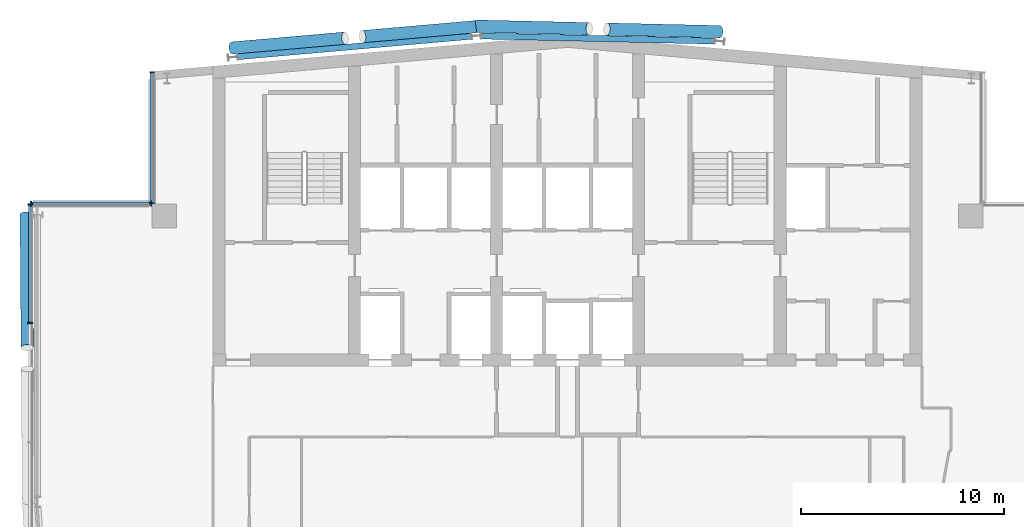
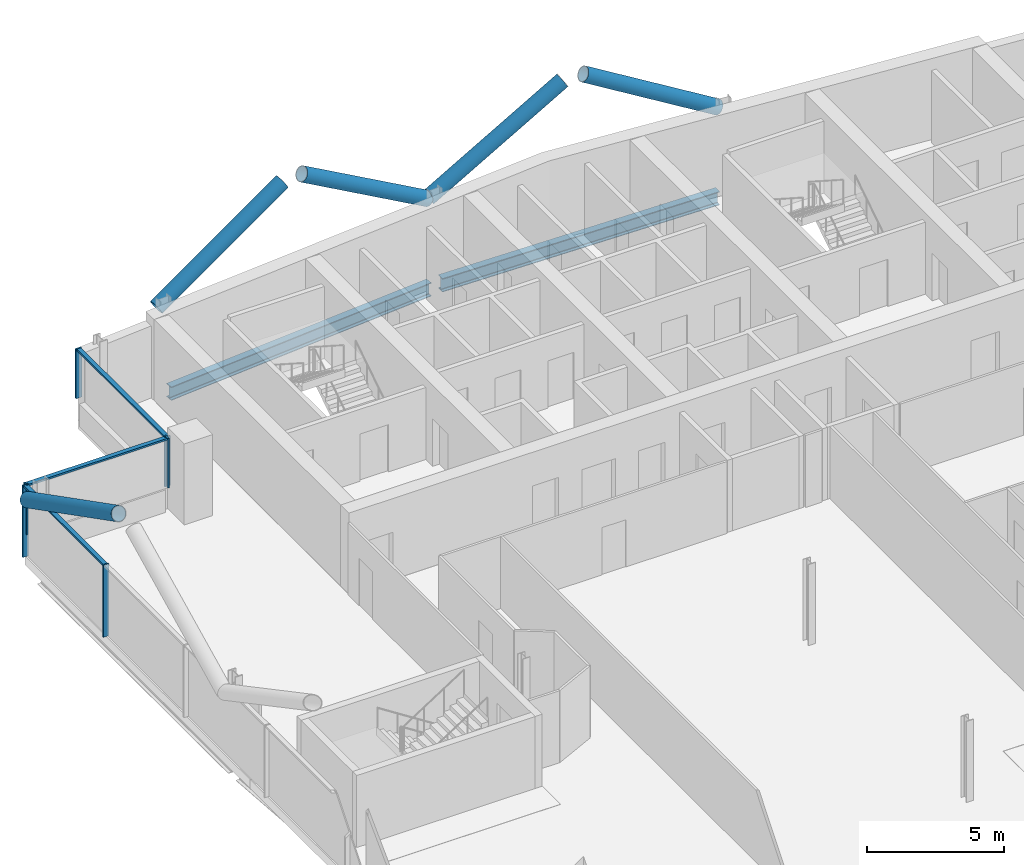
# One storey, part 10 of 25: 14 members, 2 beams, 3 elements without a shape of their own.
"""IFC4 building model written with IfcOpenShell, lengths in metres."""

from ifc_helpers import new_model, si_unit, direction, frame, origin, origin_2d, place, context, subcontext, project, spatial, rectangle, hollow_circle, i_section, extrude, material, material_profile, profile_set, type_object, element, aggregate, save


model = new_model("IFC4")

# Units and contexts
model_context = context("Model", 3, precision=1e-05, world=origin(), true_north=direction((0.0, 1.0)))
body_context = subcontext(model_context, "Body", "Model", "MODEL_VIEW")
ifc_project = project(units=[si_unit("LENGTHUNIT", "METRE"), si_unit("AREAUNIT", "SQUARE_METRE"), si_unit("VOLUMEUNIT", "CUBIC_METRE"), si_unit("PLANEANGLEUNIT", "RADIAN"), si_unit("MASSUNIT", "GRAM", prefix="KILO")], contexts=[model_context])

# Site, building, storey
site_placement = place(None, origin())
site = spatial("IfcSite", under=ifc_project, at=site_placement, CompositionType="ELEMENT")
building_placement = place(site_placement, origin())
building = spatial("IfcBuilding", under=site, at=building_placement, Name="Wharfspan Tower", CompositionType="ELEMENT")
storey_placement = place(building_placement, frame((0.0, 0.0, 239.5)))
storey = spatial("IfcBuildingStorey", under=building, at=storey_placement, Name="L60", CompositionType="ELEMENT", Elevation=239.5)

# Beams
ifc_material_1 = material(Name="Steel S355J2", Category="steel")
ifc_material_profile_1 = material_profile(ifc_material_1, i_section(OverallWidth=0.300049, OverallDepth=0.600098, WebThickness=0.015381, FlangeThickness=0.030029, FilletRadius=0.0271, at=origin_2d()))
ifc_profile_set_1 = profile_set([ifc_material_profile_1], Name="Steel S355J2")
beam_type = type_object("IfcBeamType", Name="Edge beam HEB 600", PredefinedType="SPANDREL", material=ifc_profile_set_1)
beam_1_placement = place(storey_placement, frame((35.754883, 50.263428, -0.699951), z_axis=(-0.996194, -0.087165, 0.0), x_axis=(0.087165, -0.996194, 0.0)))
element("IfcBeam", 1, at=beam_1_placement, inside=storey, type_object=beam_type, Name="Edge beam N1 L60 R.2 to R.1", PredefinedType="SPANDREL", context=body_context, shape_type="SweptSolid", body=[
    extrude(i_section(OverallWidth=0.300049, OverallDepth=0.600098, WebThickness=0.015381, FlangeThickness=0.030029, FilletRadius=0.0271, at=origin_2d()), origin(), (0.0, 0.0, 1.0), 11.553711),
])
beam_2_placement = place(storey_placement, frame((36.247559, 50.279297, -0.699951), z_axis=(0.999761, -0.021871, 0.0), x_axis=(0.021871, 0.999761, 0.0)))
element("IfcBeam", 2, at=beam_2_placement, inside=storey, type_object=beam_type, Name="Edge beam L60 R.2 to R.3", PredefinedType="SPANDREL", context=body_context, shape_type="SweptSolid", body=[
    extrude(i_section(OverallWidth=0.300049, OverallDepth=0.600098, WebThickness=0.015381, FlangeThickness=0.030029, FilletRadius=0.0271, at=origin_2d()), origin(), (0.0, 0.0, 1.0), 11.508545),
])

# Curtain wall, members
ifc_material_2 = material(Name="Aluminium 6063-T6", Category="aluminium")
curtain_wall_type = type_object("IfcCurtainWallType", Name="CURTAIN WALL PROW AND END", PredefinedType="NOTDEFINED", material=ifc_material_2)
curtain_wall_1_placement = place(storey_placement, origin())
curtain_wall_1 = element("IfcCurtainWall", 3, at=curtain_wall_1_placement, inside=storey, type_object=curtain_wall_type, Name="Curtain wall NRW-V", PredefinedType="NOTDEFINED")
ifc_material_profile_2 = material_profile(ifc_material_2, rectangle(XDim=0.23999, YDim=0.060059, at=origin_2d()))
ifc_profile_set_2 = profile_set([ifc_material_profile_2], Name="Aluminium 6063-T6")
member_type_1 = type_object("IfcMemberType", Name="MULLION PROW AND END 60x240", PredefinedType="MULLION", material=ifc_profile_set_2)
member_1_placement = place(storey_placement, frame((20.0, 48.494873, 1.0), z_axis=(0.0, 0.0, 1.0), x_axis=(1.0, 0.0, 0.0)))
member_1 = element("IfcMember", 4, at=member_1_placement, type_object=member_type_1, Name="Curtain wall NRW-V mullion 1", PredefinedType="MULLION", context=body_context, shape_type="SweptSolid", body=[
    extrude(rectangle(XDim=0.23999, YDim=0.060059, at=origin_2d()), origin(), (0.0, 0.0, 1.0), 2.199951),
])
member_2_placement = place(storey_placement, frame((20.0, 42.030029, 1.0), z_axis=(0.0, 0.0, 1.0), x_axis=(1.0, 0.0, 0.0)))
member_2 = element("IfcMember", 5, at=member_2_placement, type_object=member_type_1, Name="Curtain wall NRW-V mullion 2", PredefinedType="MULLION", context=body_context, shape_type="SweptSolid", body=[
    extrude(rectangle(XDim=0.23999, YDim=0.060059, at=origin_2d()), origin(), (0.0, 0.0, 1.0), 2.199951),
])

curtain_wall_2_placement = place(storey_placement, origin())
curtain_wall_2 = element("IfcCurtainWall", 6, at=curtain_wall_2_placement, inside=storey, type_object=curtain_wall_type, Name="Curtain wall NRW-H", PredefinedType="NOTDEFINED")
member_3_placement = place(storey_placement, frame((19.969971, 42.0, 1.0), z_axis=(0.0, 0.0, 1.0), x_axis=(0.0, -1.0, 0.0)))
member_3 = element("IfcMember", 7, at=member_3_placement, type_object=member_type_1, Name="Curtain wall NRW-H mullion 1", PredefinedType="MULLION", context=body_context, shape_type="SweptSolid", body=[
    extrude(rectangle(XDim=0.23999, YDim=0.060059, at=origin_2d()), origin(), (0.0, 0.0, 1.0), 2.199951),
])
member_4_placement = place(storey_placement, frame((14.030029, 42.0, 1.0), z_axis=(0.0, 0.0, 1.0), x_axis=(0.0, -1.0, 0.0)))
member_4 = element("IfcMember", 8, at=member_4_placement, type_object=member_type_1, Name="Curtain wall NRW-H mullion 2", PredefinedType="MULLION", context=body_context, shape_type="SweptSolid", body=[
    extrude(rectangle(XDim=0.23999, YDim=0.060059, at=origin_2d()), origin(), (0.0, 0.0, 1.0), 2.199951),
])

curtain_wall_3_placement = place(storey_placement, origin())
curtain_wall_3 = element("IfcCurtainWall", 9, at=curtain_wall_3_placement, inside=storey, type_object=curtain_wall_type, Name="Curtain wall W", PredefinedType="NOTDEFINED")
member_5_placement = place(storey_placement, frame((14.0, 41.969971, 0.0), z_axis=(0.0, 0.0, 1.0), x_axis=(1.0, 0.0, 0.0)))
member_5 = element("IfcMember", 10, at=member_5_placement, type_object=member_type_1, Name="Curtain wall W mullion 1", PredefinedType="MULLION", context=body_context, shape_type="SweptSolid", body=[
    extrude(rectangle(XDim=0.23999, YDim=0.060059, at=origin_2d()), origin(), (0.0, 0.0, 1.0), 3.199951),
])
member_6_placement = place(storey_placement, frame((14.0, 36.120117, 0.0), z_axis=(0.0, 0.0, 1.0), x_axis=(1.0, 0.0, 0.0)))
member_6 = element("IfcMember", 11, at=member_6_placement, type_object=member_type_1, Name="Curtain wall W mullion 2", PredefinedType="MULLION", context=body_context, shape_type="SweptSolid", body=[
    extrude(rectangle(XDim=0.23999, YDim=0.060059, at=origin_2d()), origin(), (0.0, 0.0, 1.0), 3.199951),
])

# Members
ifc_material_3 = material(Name="Steel S460NH", Category="steel")
ifc_material_profile_3 = material_profile(ifc_material_3, hollow_circle(Radius=0.304932, WallThickness=0.024902, at=origin_2d()))
ifc_profile_set_3 = profile_set([ifc_material_profile_3], Name="Steel S460NH")
member_type_2 = type_object("IfcMemberType", Name="Mega brace CHS 610x25", PredefinedType="BRACE", material=ifc_profile_set_3)
member_7_placement = place(storey_placement, frame((13.792969, 41.459717, 2.899902), z_axis=(0.007044, -0.891347, 0.453266), x_axis=(0.999973, 0.007904, 3e-06)))
element("IfcMember", 12, at=member_7_placement, inside=storey, type_object=member_type_2, Name="Mega brace W3 L61 part 1", PredefinedType="BRACE", context=body_context, shape_type="SweptSolid", body=[
    extrude(hollow_circle(Radius=0.304932, WallThickness=0.024902, at=origin_2d()), origin(), (0.0, 0.0, 1.0), 7.347412),
])
for number, where, z_axis, x_axis, name in (
    (13, (23.960693, 49.685059, 2.899902), (0.855077, 0.074813, 0.513076), (-0.087161, 0.996195, 2e-06), "Mega brace N7 L61 part 1"),
    (14, (35.960693, 50.735107, 2.899902), (-0.855087, -0.07481, 0.51306), (0.087154, -0.996194, -2e-06), "Mega brace N7 L61 part 3"),
):
    element("IfcMember", number, at=place(storey_placement, frame(where, z_axis=z_axis, x_axis=x_axis)), inside=storey, type_object=member_type_2, Name=name, PredefinedType="BRACE", context=body_context, shape_type="SweptSolid", body=[
        extrude(hollow_circle(Radius=0.304932, WallThickness=0.024902, at=origin_2d()), origin(), (0.0, 0.0, 1.0), 6.510498),
    ])
for number, where, z_axis, x_axis, name in (
    (15, (36.010498, 50.762939, 2.899902), (0.85732, -0.019474, 0.514415), (0.022708, 0.999746, 2e-06), "Mega brace N8 L61 part 1"),
    (16, (48.010254, 50.490234, 2.899902), (-0.85732, 0.019474, 0.514415), (-0.022708, -0.999746, 2e-06), "Mega brace N8 L61 part 3"),
):
    element("IfcMember", number, at=place(storey_placement, frame(where, z_axis=z_axis, x_axis=x_axis)), inside=storey, type_object=member_type_2, Name=name, PredefinedType="BRACE", context=body_context, shape_type="SweptSolid", body=[
        extrude(hollow_circle(Radius=0.304932, WallThickness=0.024902, at=origin_2d()), origin(), (0.0, 0.0, 1.0), 6.493896),
    ])

# Member
ifc_material_profile_4 = material_profile(ifc_material_2, rectangle(XDim=0.179932, YDim=0.080078, at=origin_2d()))
ifc_profile_set_4 = profile_set([ifc_material_profile_4], Name="Aluminium 6063-T6")
member_type_3 = type_object("IfcMemberType", Name="TRANSOM PROW AND END 80x180", PredefinedType="USERDEFINED", material=ifc_profile_set_4)
member_8_placement = place(storey_placement, frame((20.0, 48.464844, 3.159912), z_axis=(0.0, -1.0, 0.0), x_axis=(1.0, 0.0, 0.0)))
member_8 = element("IfcMember", 17, at=member_8_placement, type_object=member_type_3, Name="Curtain wall NRW-V transom 1", ObjectType="TRANSOM", PredefinedType="USERDEFINED", context=body_context, shape_type="SweptSolid", body=[
    extrude(rectangle(XDim=0.179932, YDim=0.080078, at=origin_2d()), origin(), (0.0, 0.0, 1.0), 6.404785),
])

aggregate(curtain_wall_1, [member_1, member_2, member_8])

member_9_placement = place(storey_placement, frame((19.939941, 42.0, 3.159912), z_axis=(-1.0, 0.0, 0.0), x_axis=(0.0, -1.0, 0.0)))
member_9 = element("IfcMember", 18, at=member_9_placement, type_object=member_type_3, Name="Curtain wall NRW-H transom 1", ObjectType="TRANSOM", PredefinedType="USERDEFINED", context=body_context, shape_type="SweptSolid", body=[
    extrude(rectangle(XDim=0.179932, YDim=0.080078, at=origin_2d()), origin(), (0.0, 0.0, 1.0), 5.879883),
])

aggregate(curtain_wall_2, [member_3, member_4, member_9])

member_10_placement = place(storey_placement, frame((14.0, 41.939941, 3.159912), z_axis=(0.0, -1.0, 0.0), x_axis=(1.0, 0.0, 0.0)))
member_10 = element("IfcMember", 19, at=member_10_placement, type_object=member_type_3, Name="Curtain wall W transom 1", ObjectType="TRANSOM", PredefinedType="USERDEFINED", context=body_context, shape_type="SweptSolid", body=[
    extrude(rectangle(XDim=0.179932, YDim=0.080078, at=origin_2d()), origin(), (0.0, 0.0, 1.0), 5.790039),
])

aggregate(curtain_wall_3, [member_5, member_6, member_10])

save(model, "model.ifc")
